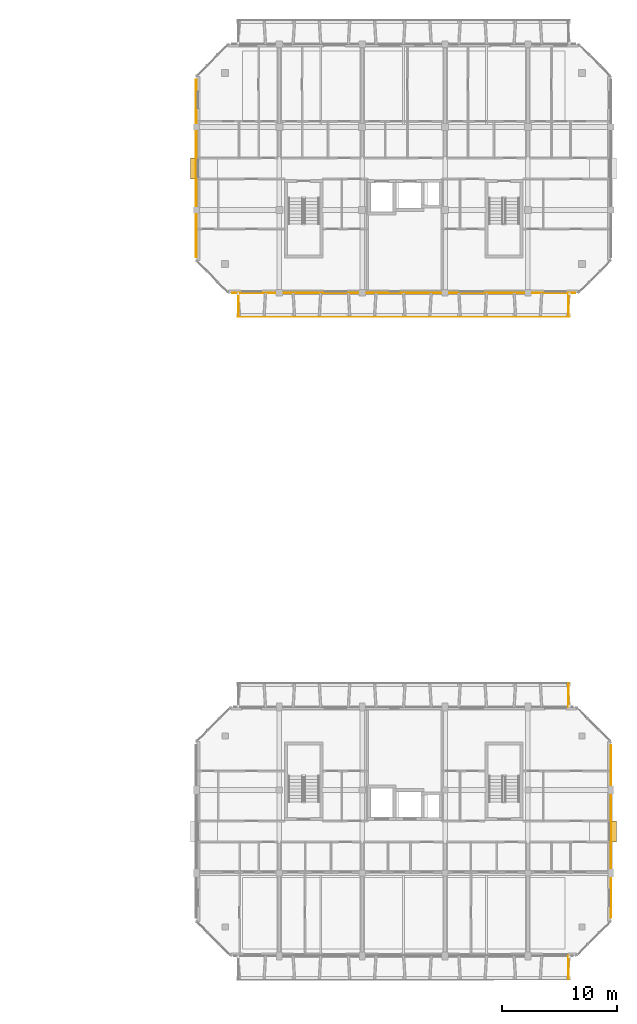
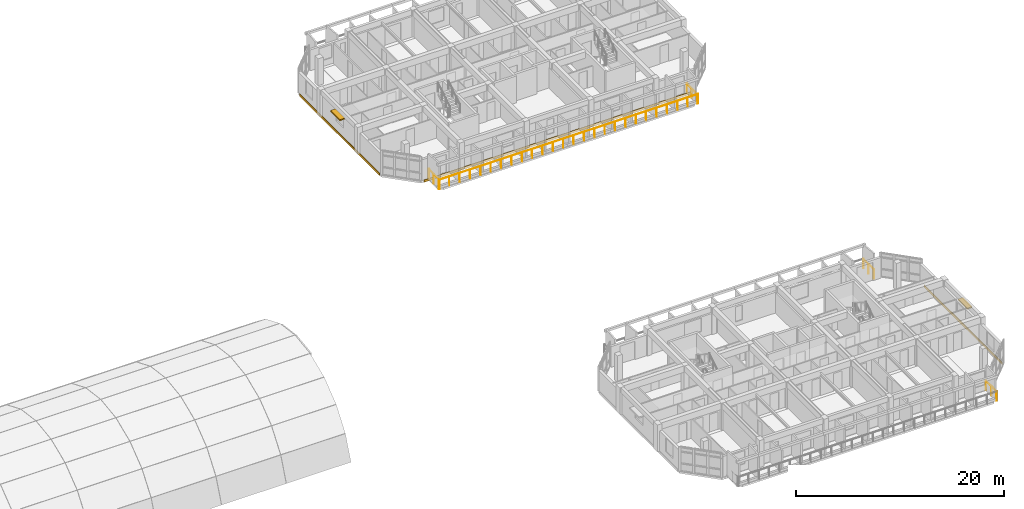
# One storey, part 49 of 51: 5 railings, 3 coverings, 2 shading devices.
"""IFC4 building model written with IfcOpenShell, lengths in metres."""

from ifc_helpers import new_model, si_unit, direction, frame, origin, origin_2d, place, context, subcontext, project, spatial, rectangle, circle, extrude, material, layer, layer_set, type_object, element, save


model = new_model("IFC4")

# Units and contexts
model_context = context("Model", 3, precision=1e-05, world=origin(), true_north=direction((0.0, 1.0)))
body_context = subcontext(model_context, "Body", "Model", "MODEL_VIEW")
ifc_project = project(units=[si_unit("LENGTHUNIT", "METRE"), si_unit("AREAUNIT", "SQUARE_METRE"), si_unit("VOLUMEUNIT", "CUBIC_METRE"), si_unit("PLANEANGLEUNIT", "RADIAN"), si_unit("MASSUNIT", "GRAM", prefix="KILO")], contexts=[model_context])

# Site, building, storey
site_placement = place(None, origin())
site = spatial("IfcSite", under=ifc_project, at=site_placement, CompositionType="ELEMENT")
building_placement = place(site_placement, origin())
building = spatial("IfcBuilding", under=site, at=building_placement, Name="Ochrevale Crest", CompositionType="ELEMENT")
storey_placement = place(building_placement, frame((0.0, 0.0, 11.85009765625)))
storey = spatial("IfcBuildingStorey", under=building, at=storey_placement, Name="L03", CompositionType="ELEMENT", Elevation=11.85009765625)

# Coverings
ifc_material_1 = material(Name="Glazed terracotta rainscreen tile", Category="masonry")
ifc_layer = layer(ifc_material_1, 0.048095703125)
ifc_layer_set = layer_set([ifc_layer], Name="Glazed terracotta rainscreen tile")
covering_type = type_object("IfcCoveringType", Name="COV-CLAD-TER", PredefinedType="CLADDING", material=ifc_layer_set)
covering_1_placement = place(storey_placement, frame((165.614501953125, 25.199951171875, -0.26025390625), z_axis=(0.0, 0.0, 1.0), x_axis=(0.0, 1.0, 0.0)))
element("IfcCovering", 1, at=covering_1_placement, inside=storey, type_object=covering_type, Name="Block C L03 terracotta slab-edge spandrel cladding", PredefinedType="CLADDING", context=body_context, shape_type="SweptSolid", body=[
    extrude(rectangle(XDim=15.0, YDim=0.06005859375, at=origin_2d()), origin(), (0.0, 0.0, 1.0), 0.280029296875),
])
covering_2_placement = place(storey_placement, frame((147.60009765625, 71.987548828125, -0.26025390625), z_axis=(0.0, 0.0, 1.0), x_axis=(1.0, 0.0, 0.0)))
element("IfcCovering", 2, at=covering_2_placement, inside=storey, type_object=covering_type, Name="Block D L03 terracotta slab-edge spandrel cladding", PredefinedType="CLADDING", context=body_context, shape_type="SweptSolid", body=[
    extrude(rectangle(XDim=29.800048828125, YDim=0.06005859375, at=origin_2d()), origin(), (0.0, 0.0, 1.0), 0.280029296875),
])
covering_3_placement = place(storey_placement, frame((129.58544921875, 82.800048828125, -0.26025390625), z_axis=(0.0, 0.0, 1.0), x_axis=(0.0, -1.0, 0.0)))
element("IfcCovering", 3, at=covering_3_placement, inside=storey, type_object=covering_type, Name="Block D L03 terracotta slab-edge spandrel cladding", PredefinedType="CLADDING", context=body_context, shape_type="SweptSolid", body=[
    extrude(rectangle(XDim=15.39990234375, YDim=0.06005859375, at=origin_2d()), origin(), (0.0, 0.0, 1.0), 0.280029296875),
])

# Railings
ifc_material_2 = material(Name="Galvanised steel", Category="steel")
railing_type = type_object("IfcRailingType", Name="RL-BAL-1100", PredefinedType="BALUSTRADE", material=ifc_material_2)
railing_1_placement = place(storey_placement, frame((161.93994140625, 14.39990234375, 0.0)))
element("IfcRailing", 4, at=railing_1_placement, inside=storey, type_object=railing_type, Name="Block C L03 S-E balcony side guard", PredefinedType="BALUSTRADE", context=body_context, shape_type="SweptSolid", body=[
    extrude(circle(Radius=0.02392578125, at=origin_2d()), frame((0.0, 0.0, 1.0859375), z_axis=(0.0, -1.0, 0.0), x_axis=(1.0, 0.0, 0.0)), (0.0, 0.0, 1.0), 2.039794921875),
    extrude(circle(Radius=0.02099609375, at=origin_2d()), origin(), (0.0, 0.0, 1.0), 1.06201171875),
    extrude(circle(Radius=0.02099609375, at=origin_2d()), frame((0.0, -1.02001953125, 0.0)), (0.0, 0.0, 1.0), 1.06201171875),
    extrude(circle(Radius=0.02099609375, at=origin_2d()), frame((0.0, -2.039794921875, 0.0)), (0.0, 0.0, 1.0), 1.06201171875),
])
railing_2_placement = place(storey_placement, frame((161.93994140625, 36.0, 0.0)))
element("IfcRailing", 5, at=railing_2_placement, inside=storey, type_object=railing_type, Name="Block C L03 N-E balcony side guard", PredefinedType="BALUSTRADE", context=body_context, shape_type="SweptSolid", body=[
    extrude(circle(Radius=0.02392578125, at=origin_2d()), frame((0.0, 0.0, 1.0859375), z_axis=(0.0, 1.0, 0.0), x_axis=(-1.0, 0.0, 0.0)), (0.0, 0.0, 1.0), 2.0400390625),
    extrude(circle(Radius=0.02099609375, at=origin_2d()), origin(), (0.0, 0.0, 1.0), 1.06201171875),
    extrude(circle(Radius=0.02099609375, at=origin_2d()), frame((0.0, 1.02001953125, 0.0)), (0.0, 0.0, 1.0), 1.06201171875),
    extrude(circle(Radius=0.02099609375, at=origin_2d()), frame((0.0, 2.0400390625, 0.0)), (0.0, 0.0, 1.0), 1.06201171875),
])
railing_3_placement = place(storey_placement, frame((133.199951171875, 69.9599609375, 0.0)))
element("IfcRailing", 6, at=railing_3_placement, inside=storey, type_object=railing_type, Name="Block D L03 S balcony front balustrade", PredefinedType="BALUSTRADE", context=body_context, shape_type="SweptSolid", body=[
    extrude(circle(Radius=0.02392578125, at=origin_2d()), frame((0.0, 0.0, 1.0859375), z_axis=(1.0, 0.0, 0.0), x_axis=(0.0, 1.0, 0.0)), (0.0, 0.0, 1.0), 28.800048828125),
    extrude(circle(Radius=0.02099609375, at=origin_2d()), origin(), (0.0, 0.0, 1.0), 1.06201171875),
    extrude(circle(Radius=0.02099609375, at=origin_2d()), frame((1.152099609375, 0.0, 0.0)), (0.0, 0.0, 1.0), 1.06201171875),
    extrude(circle(Radius=0.02099609375, at=origin_2d()), frame((2.303955078125, 0.0, 0.0)), (0.0, 0.0, 1.0), 1.06201171875),
    extrude(circle(Radius=0.02099609375, at=origin_2d()), frame((3.4560546875, 0.0, 0.0)), (0.0, 0.0, 1.0), 1.06201171875),
    extrude(circle(Radius=0.02099609375, at=origin_2d()), frame((4.60791015625, 0.0, 0.0)), (0.0, 0.0, 1.0), 1.06201171875),
    extrude(circle(Radius=0.02099609375, at=origin_2d()), frame((5.760009765625, 0.0, 0.0)), (0.0, 0.0, 1.0), 1.06201171875),
    extrude(circle(Radius=0.02099609375, at=origin_2d()), frame((6.912109375, 0.0, 0.0)), (0.0, 0.0, 1.0), 1.06201171875),
    extrude(circle(Radius=0.02099609375, at=origin_2d()), frame((8.06396484375, 0.0, 0.0)), (0.0, 0.0, 1.0), 1.06201171875),
    extrude(circle(Radius=0.02099609375, at=origin_2d()), frame((9.216064453125, 0.0, 0.0)), (0.0, 0.0, 1.0), 1.06201171875),
    extrude(circle(Radius=0.02099609375, at=origin_2d()), frame((10.367919921875, 0.0, 0.0)), (0.0, 0.0, 1.0), 1.06201171875),
    extrude(circle(Radius=0.02099609375, at=origin_2d()), frame((11.52001953125, 0.0, 0.0)), (0.0, 0.0, 1.0), 1.06201171875),
    extrude(circle(Radius=0.02099609375, at=origin_2d()), frame((12.672119140625, 0.0, 0.0)), (0.0, 0.0, 1.0), 1.06201171875),
    extrude(circle(Radius=0.02099609375, at=origin_2d()), frame((13.823974609375, 0.0, 0.0)), (0.0, 0.0, 1.0), 1.06201171875),
    extrude(circle(Radius=0.02099609375, at=origin_2d()), frame((14.97607421875, 0.0, 0.0)), (0.0, 0.0, 1.0), 1.06201171875),
    extrude(circle(Radius=0.02099609375, at=origin_2d()), frame((16.1279296875, 0.0, 0.0)), (0.0, 0.0, 1.0), 1.06201171875),
    extrude(circle(Radius=0.02099609375, at=origin_2d()), frame((17.280029296875, 0.0, 0.0)), (0.0, 0.0, 1.0), 1.06201171875),
    extrude(circle(Radius=0.02099609375, at=origin_2d()), frame((18.43212890625, 0.0, 0.0)), (0.0, 0.0, 1.0), 1.06201171875),
    extrude(circle(Radius=0.02099609375, at=origin_2d()), frame((19.583984375, 0.0, 0.0)), (0.0, 0.0, 1.0), 1.06201171875),
    extrude(circle(Radius=0.02099609375, at=origin_2d()), frame((20.736083984375, 0.0, 0.0)), (0.0, 0.0, 1.0), 1.06201171875),
    extrude(circle(Radius=0.02099609375, at=origin_2d()), frame((21.887939453125, 0.0, 0.0)), (0.0, 0.0, 1.0), 1.06201171875),
    extrude(circle(Radius=0.02099609375, at=origin_2d()), frame((23.0400390625, 0.0, 0.0)), (0.0, 0.0, 1.0), 1.06201171875),
    extrude(circle(Radius=0.02099609375, at=origin_2d()), frame((24.192138671875, 0.0, 0.0)), (0.0, 0.0, 1.0), 1.06201171875),
    extrude(circle(Radius=0.02099609375, at=origin_2d()), frame((25.343994140625, 0.0, 0.0)), (0.0, 0.0, 1.0), 1.06201171875),
    extrude(circle(Radius=0.02099609375, at=origin_2d()), frame((26.49609375, 0.0, 0.0)), (0.0, 0.0, 1.0), 1.06201171875),
    extrude(circle(Radius=0.02099609375, at=origin_2d()), frame((27.64794921875, 0.0, 0.0)), (0.0, 0.0, 1.0), 1.06201171875),
    extrude(circle(Radius=0.02099609375, at=origin_2d()), frame((28.800048828125, 0.0, 0.0)), (0.0, 0.0, 1.0), 1.06201171875),
])
for number, where, name in (
    (7, (133.260009765625, 72.0, 0.0), "Block D L03 S-W balcony side guard"),
    (8, (161.93994140625, 72.0, 0.0), "Block D L03 S-E balcony side guard"),
):
    element("IfcRailing", number, at=place(storey_placement, frame(where)), inside=storey, type_object=railing_type, Name=name, PredefinedType="BALUSTRADE", context=body_context, shape_type="SweptSolid", body=[
        extrude(circle(Radius=0.02392578125, at=origin_2d()), frame((0.0, 0.0, 1.0859375), z_axis=(0.0, -1.0, 0.0), x_axis=(1.0, 0.0, 0.0)), (0.0, 0.0, 1.0), 2.0400390625),
        extrude(circle(Radius=0.02099609375, at=origin_2d()), origin(), (0.0, 0.0, 1.0), 1.06201171875),
        extrude(circle(Radius=0.02099609375, at=origin_2d()), frame((0.0, -1.02001953125, 0.0)), (0.0, 0.0, 1.0), 1.06201171875),
        extrude(circle(Radius=0.02099609375, at=origin_2d()), frame((0.0, -2.0400390625, 0.0)), (0.0, 0.0, 1.0), 1.06201171875),
    ])

# Shading devices
ifc_material_3 = material(Name="Anodised aluminium 6063-T5", Category="aluminium")
shading_device_type = type_object("IfcShadingDeviceType", Name="SHD-SUNSHADE-OC", PredefinedType="USERDEFINED", material=ifc_material_3)
for number, where, z_axis, x_axis, name in (
    (9, (165.840087890625, 25.199951171875, 2.2099609375), (0.0, 0.0, 1.0), (1.0, 0.0, 0.0), "Block C L03 gable window sunshade E"),
    (10, (129.360107421875, 82.800048828125, 2.2099609375), (0.0, 0.0, 1.0), (1.0, 0.0, 0.0), "Block D L03 gable window sunshade W"),
):
    element("IfcShadingDevice", number, at=place(storey_placement, frame(where, z_axis=z_axis, x_axis=x_axis)), inside=storey, type_object=shading_device_type, Name=name, ObjectType="HORIZONTAL SUNSHADE", PredefinedType="USERDEFINED", context=body_context, shape_type="SweptSolid", body=[
        extrude(rectangle(XDim=0.550048828125, YDim=1.800048828125, at=origin_2d()), origin(), (0.0, 0.0, 1.0), 0.139892578125),
    ])

save(model, "model.ifc")
